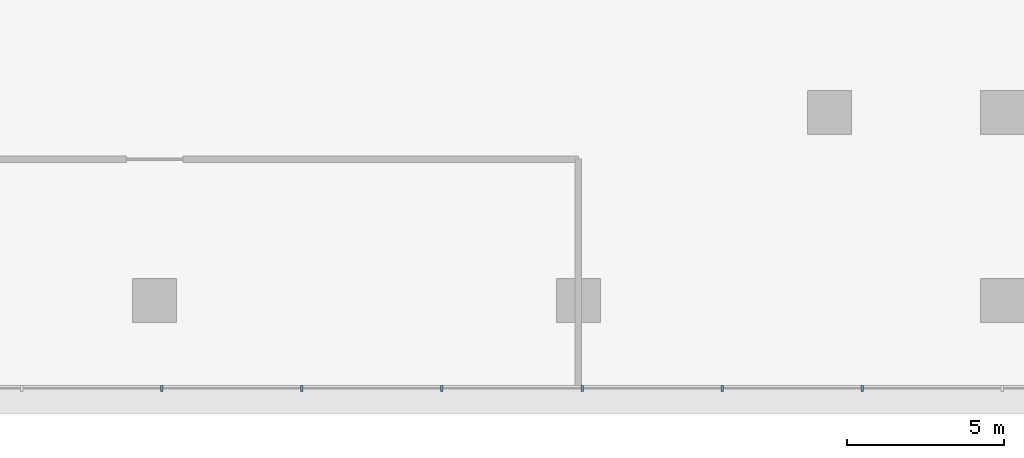
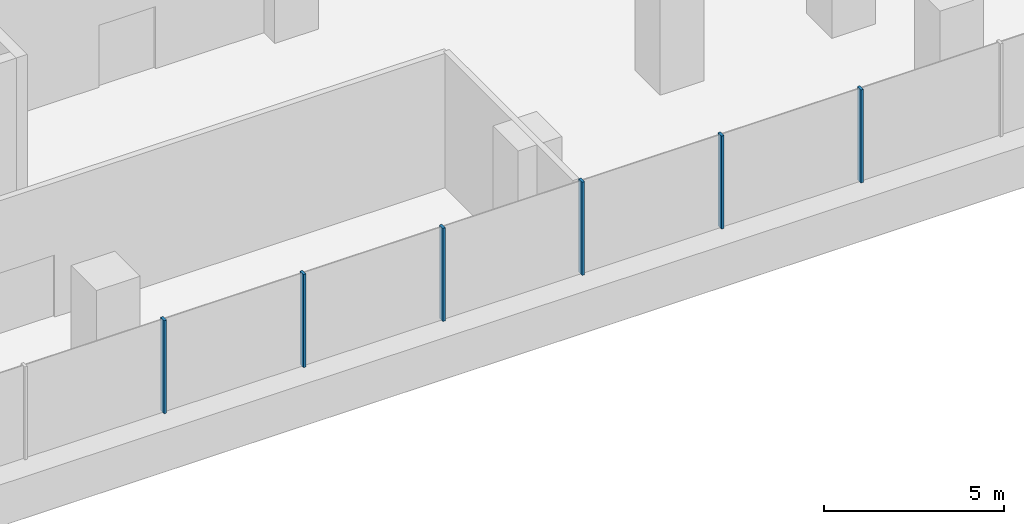
# One storey, part 3 of 38: 6 members, 1 element without a shape of its own.
"""IFC4 building model written with IfcOpenShell, lengths in metres."""

from ifc_helpers import new_model, si_unit, direction, frame, origin, origin_2d, place, context, subcontext, project, spatial, rectangle, extrude, material, layer, layer_set, material_profile, profile_set, type_object, element, aggregate, save


model = new_model("IFC4")

# Units and contexts
model_context = context("Model", 3, precision=1e-05, world=origin(), true_north=direction((0.0, 1.0)))
body_context = subcontext(model_context, "Body", "Model", "MODEL_VIEW")
ifc_project = project(units=[si_unit("LENGTHUNIT", "METRE"), si_unit("AREAUNIT", "SQUARE_METRE"), si_unit("VOLUMEUNIT", "CUBIC_METRE"), si_unit("PLANEANGLEUNIT", "RADIAN"), si_unit("MASSUNIT", "GRAM", prefix="KILO")], contexts=[model_context])

# Site, building, storey
site_placement = place(None, origin())
site = spatial("IfcSite", under=ifc_project, at=site_placement, CompositionType="ELEMENT")
building_placement = place(site_placement, origin())
building = spatial("IfcBuilding", under=site, at=building_placement, Name="Tamarind Cross Interchange Tower", CompositionType="ELEMENT")
storey_placement = place(building_placement, frame((0.0, 0.0, 20.0)))
storey = spatial("IfcBuildingStorey", under=building, at=storey_placement, Name="L03", CompositionType="ELEMENT", Elevation=20.0)

# Curtain wall, members
ifc_material = material(Name="Aluminium 6063-T6", Category="aluminium")
ifc_layer = layer(ifc_material, 0.199951171875)
ifc_layer_set = layer_set([ifc_layer], Name="Aluminium 6063-T6")
curtain_wall_type = type_object("IfcCurtainWallType", Name="Podium shopfront and station curtain wall", PredefinedType="NOTDEFINED", material=ifc_layer_set)
curtain_wall_placement = place(storey_placement, origin())
curtain_wall = element("IfcCurtainWall", 1, at=curtain_wall_placement, inside=storey, type_object=curtain_wall_type, Name="CWS-L03-06", PredefinedType="NOTDEFINED")
ifc_material_profile = material_profile(ifc_material, rectangle(XDim=0.080078125, YDim=0.199951171875, at=origin_2d()), Name="Mullion CW3")
ifc_profile_set = profile_set([ifc_material_profile], Name="Aluminium 6063-T6")
member_type = type_object("IfcMemberType", Name="Mullion CW3", PredefinedType="MULLION", material=ifc_profile_set)
member_1_placement = place(storey_placement, frame((-26.761962890625, -56.800048828125, 1.39990234375), z_axis=(0.0, 0.0, 1.0), x_axis=(1.0, 0.0, 0.0)))
member_1 = element("IfcMember", 2, at=member_1_placement, type_object=member_type, Name="CWM-L03-06-07", PredefinedType="MULLION", context=body_context, shape_type="SweptSolid", body=[
    extrude(rectangle(XDim=0.080078125, YDim=0.199951171875, at=origin_2d()), origin(), (0.0, 0.0, 1.0), 3.150146484375),
])
member_2_placement = place(storey_placement, frame((-22.3017578125, -56.800048828125, 1.39990234375), z_axis=(0.0, 0.0, 1.0), x_axis=(1.0, 0.0, 0.0)))
member_2 = element("IfcMember", 3, at=member_2_placement, type_object=member_type, Name="CWM-L03-06-08", PredefinedType="MULLION", context=body_context, shape_type="SweptSolid", body=[
    extrude(rectangle(XDim=0.080078125, YDim=0.199951171875, at=origin_2d()), origin(), (0.0, 0.0, 1.0), 3.150146484375),
])
member_3_placement = place(storey_placement, frame((-17.84130859375, -56.800048828125, 1.39990234375), z_axis=(0.0, 0.0, 1.0), x_axis=(1.0, 0.0, 0.0)))
member_3 = element("IfcMember", 4, at=member_3_placement, type_object=member_type, Name="CWM-L03-06-09", PredefinedType="MULLION", context=body_context, shape_type="SweptSolid", body=[
    extrude(rectangle(XDim=0.080078125, YDim=0.199951171875, at=origin_2d()), origin(), (0.0, 0.0, 1.0), 3.150146484375),
])
member_4_placement = place(storey_placement, frame((-13.381103515625, -56.800048828125, 1.39990234375), z_axis=(0.0, 0.0, 1.0), x_axis=(1.0, 0.0, 0.0)))
member_4 = element("IfcMember", 5, at=member_4_placement, type_object=member_type, Name="CWM-L03-06-10", PredefinedType="MULLION", context=body_context, shape_type="SweptSolid", body=[
    extrude(rectangle(XDim=0.080078125, YDim=0.199951171875, at=origin_2d()), origin(), (0.0, 0.0, 1.0), 3.150146484375),
])
member_5_placement = place(storey_placement, frame((-8.920654296875, -56.800048828125, 1.39990234375), z_axis=(0.0, 0.0, 1.0), x_axis=(1.0, 0.0, 0.0)))
member_5 = element("IfcMember", 6, at=member_5_placement, type_object=member_type, Name="CWM-L03-06-11", PredefinedType="MULLION", context=body_context, shape_type="SweptSolid", body=[
    extrude(rectangle(XDim=0.080078125, YDim=0.199951171875, at=origin_2d()), origin(), (0.0, 0.0, 1.0), 3.150146484375),
])
member_6_placement = place(storey_placement, frame((-4.46044921875, -56.800048828125, 1.39990234375), z_axis=(0.0, 0.0, 1.0), x_axis=(1.0, 0.0, 0.0)))
member_6 = element("IfcMember", 7, at=member_6_placement, type_object=member_type, Name="CWM-L03-06-12", PredefinedType="MULLION", context=body_context, shape_type="SweptSolid", body=[
    extrude(rectangle(XDim=0.080078125, YDim=0.199951171875, at=origin_2d()), origin(), (0.0, 0.0, 1.0), 3.150146484375),
])
aggregate(curtain_wall, [member_1, member_2, member_3, member_4, member_5, member_6])

save(model, "model.ifc")
